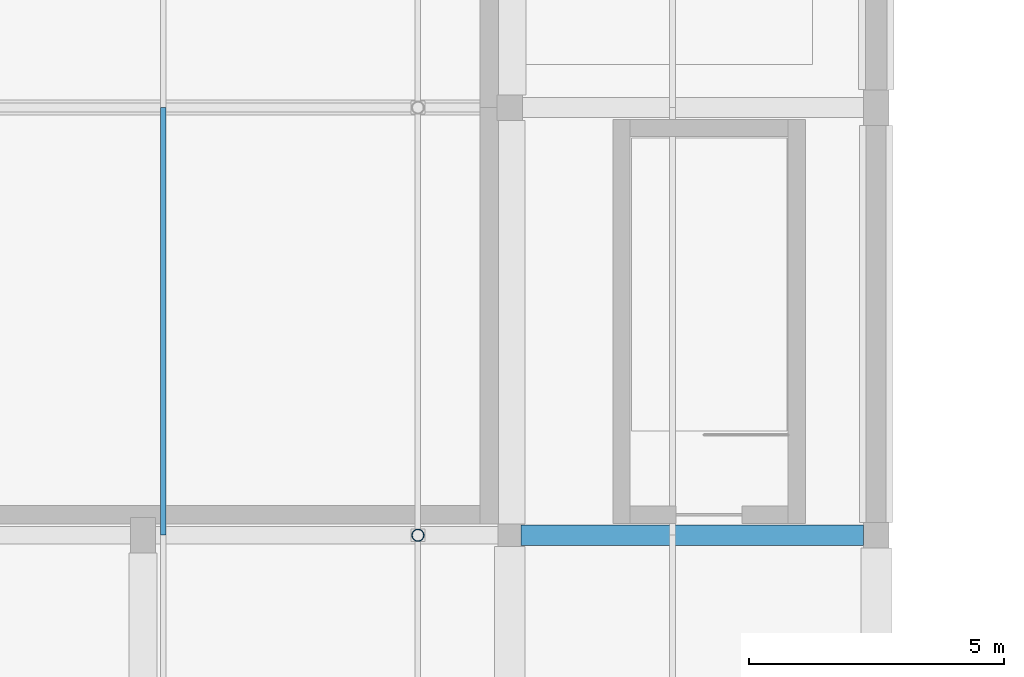
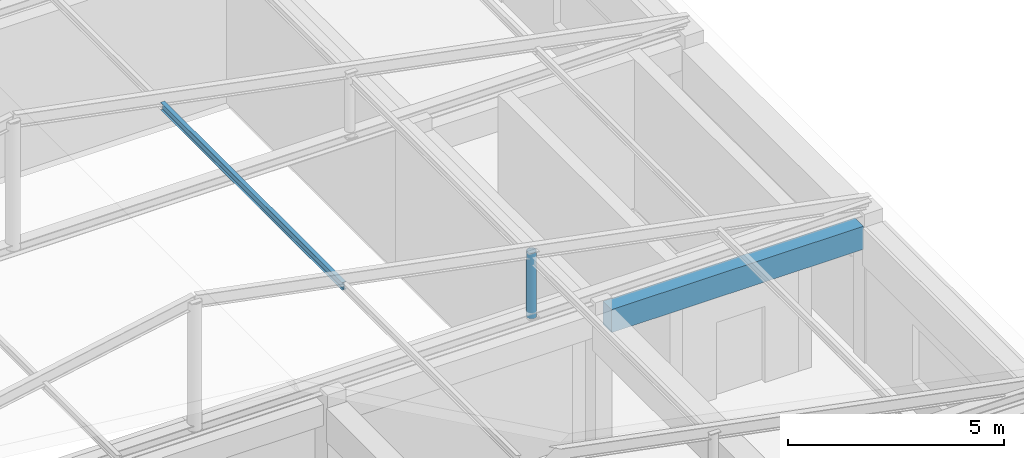
# One storey, part 40 of 74: 2 members, 1 beam.
"""IFC4 building model written with IfcOpenShell, lengths in metres."""

from ifc_helpers import new_model, si_unit, direction, frame, origin, origin_2d, place, context, subcontext, project, spatial, rectangle, hollow_circle, i_section, extrude, material, material_profile, profile_set, type_object, element, save


model = new_model("IFC4")

# Units and contexts
model_context = context("Model", 3, precision=1e-05, world=origin(), true_north=direction((0.0, 1.0)))
body_context = subcontext(model_context, "Body", "Model", "MODEL_VIEW")
ifc_project = project(units=[si_unit("LENGTHUNIT", "METRE"), si_unit("AREAUNIT", "SQUARE_METRE"), si_unit("VOLUMEUNIT", "CUBIC_METRE"), si_unit("PLANEANGLEUNIT", "RADIAN"), si_unit("MASSUNIT", "GRAM", prefix="KILO")], contexts=[model_context])

# Site, building, storey
site_placement = place(None, origin())
site = spatial("IfcSite", under=ifc_project, at=site_placement, CompositionType="ELEMENT")
building_placement = place(site_placement, origin())
building = spatial("IfcBuilding", under=site, at=building_placement, Name="Korsvaeld Concert Hall", CompositionType="ELEMENT")
storey_placement = place(building_placement, frame((0.0, 0.0, 9.0)))
storey = spatial("IfcBuildingStorey", under=building, at=storey_placement, Name="L02", CompositionType="ELEMENT", Elevation=9.0)

# Beam
ifc_material_1 = material(Name="Concrete C35/45", Category="concrete")
ifc_material_profile_1 = material_profile(ifc_material_1, rectangle(XDim=0.39990234375, YDim=0.64990234375, at=origin_2d()), Name="RC 400x650")
ifc_profile_set_1 = profile_set([ifc_material_profile_1], Name="Concrete C35/45")
beam_type = type_object("IfcBeamType", Name="BM-RC-400x650", PredefinedType="T_BEAM", material=ifc_profile_set_1)
beam_placement = place(storey_placement, frame((146.625, 51.60009765625, 3.514892578125), z_axis=(1.0, 0.0, 0.0), x_axis=(0.0, 1.0, 0.0)))
element("IfcBeam", 1, at=beam_placement, inside=storey, type_object=beam_type, Name="Primary girder 20-21/H L02", PredefinedType="T_BEAM", context=body_context, shape_type="SweptSolid", body=[
    extrude(rectangle(XDim=0.39990234375, YDim=0.64990234375, at=origin_2d()), origin(), (0.0, 0.0, 1.0), 6.72509765625),
])

# Members
ifc_material_2 = material(Name="Steel S355J2", Category="steel")
ifc_material_profile_2 = material_profile(ifc_material_2, i_section(OverallWidth=0.110107421875, OverallDepth=0.219970703125, WebThickness=0.005859375, FlangeThickness=0.00927734375, FilletRadius=0.011962890625, at=origin_2d()), Name="IPE 220")
ifc_profile_set_2 = profile_set([ifc_material_profile_2], Name="Steel S355J2")
member_type_1 = type_object("IfcMemberType", Name="MEM-PUR-IPE220", PredefinedType="PURLIN", material=ifc_profile_set_2)
member_1_placement = place(storey_placement, frame((139.60009765625, 51.60009765625, 6.85009765625), z_axis=(0.0, 1.0, 0.0), x_axis=(-1.0, 0.0, 0.0)))
element("IfcMember", 2, at=member_1_placement, inside=storey, type_object=member_type_1, Name="Chamber Hall roof purlin 139.2", PredefinedType="PURLIN", context=body_context, shape_type="SweptSolid", body=[
    extrude(i_section(OverallWidth=0.110107421875, OverallDepth=0.219970703125, WebThickness=0.005859375, FlangeThickness=0.00927734375, FilletRadius=0.011962890625, at=origin_2d()), origin(), (0.0, 0.0, 1.0), 8.39990234375),
])
ifc_material_profile_3 = material_profile(ifc_material_2, hollow_circle(Radius=0.122314453125, WallThickness=0.012451171875, at=origin_2d()), Name="CHS 244.5x12.5")
ifc_profile_set_3 = profile_set([ifc_material_profile_3], Name="Steel S355J2")
member_type_2 = type_object("IfcMemberType", Name="MEM-STR-CHS244", PredefinedType="STRUT", material=ifc_profile_set_3)
member_2_placement = place(storey_placement, frame((144.60009765625, 51.60009765625, 4.25), z_axis=(0.0, 0.0, 1.0), x_axis=(1.0, 0.0, 0.0)))
element("IfcMember", 3, at=member_2_placement, inside=storey, type_object=member_type_2, Name="Chamber Hall truss web 2.144", PredefinedType="STRUT", context=body_context, shape_type="SweptSolid", body=[
    extrude(hollow_circle(Radius=0.122314453125, WallThickness=0.012451171875, at=origin_2d()), origin(), (0.0, 0.0, 1.0), 1.85009765625),
])

save(model, "model.ifc")
